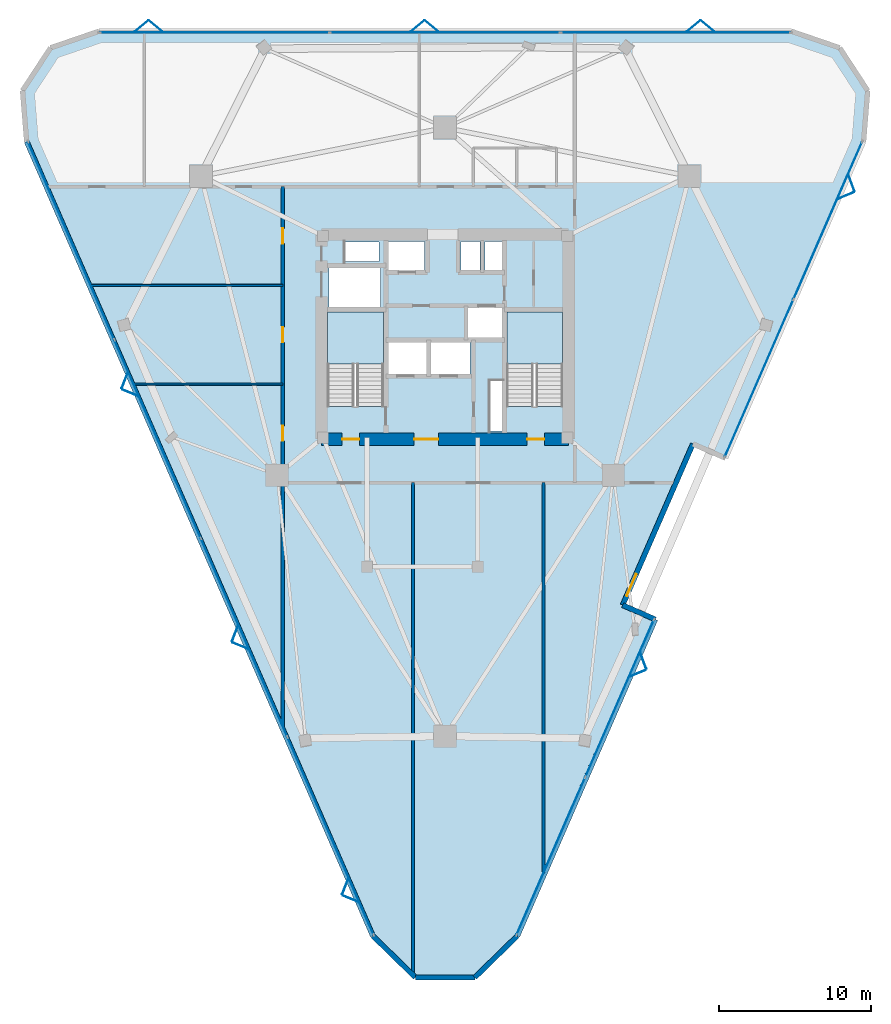
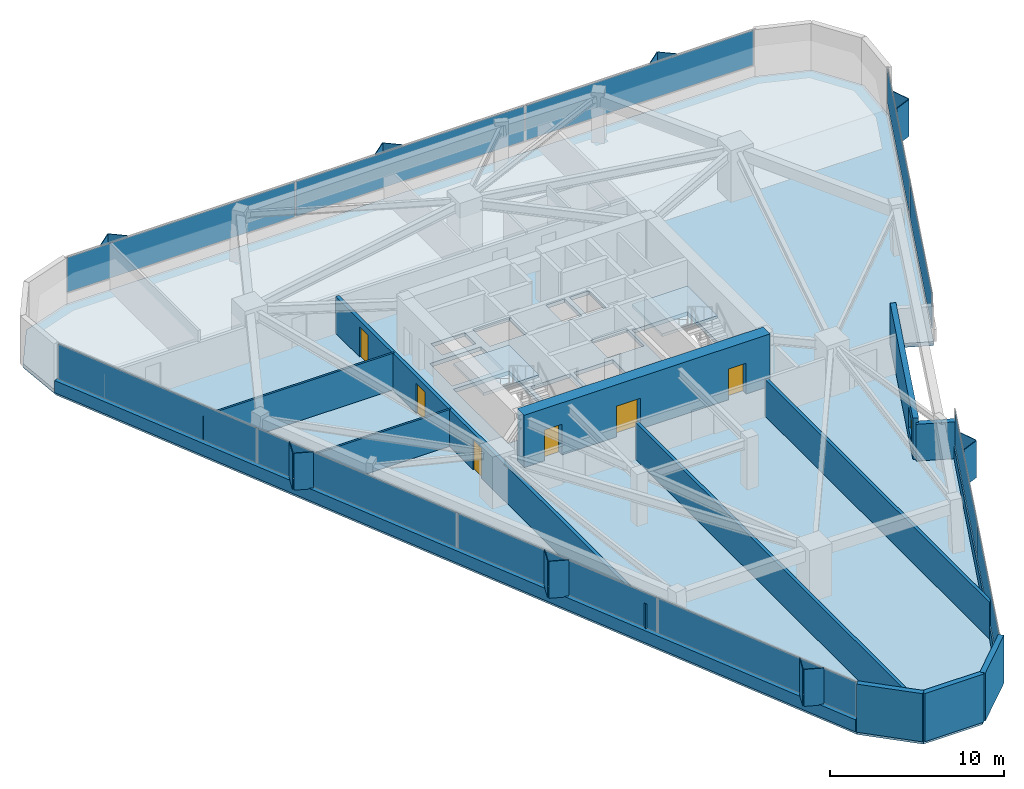
# One storey, part 7 of 12: 27 plates, 13 walls, 6 doors, 3 slabs, 1 window, 7 openings, 6 elements without a shape of their own.
"""IFC4 building model written with IfcOpenShell, lengths in metres."""

from ifc_helpers import new_model, si_unit, direction, frame, frame_2d, origin, origin_2d, place, context, subcontext, project, spatial, polyline, rectangle, outline, extrude, material, layer, layer_set, type_object, element, fill, aggregate, save


model = new_model("IFC4")

# Units and contexts
model_context = context("Model", 3, precision=1e-05, world=origin(), true_north=direction((0.0, 1.0)))
body_context = subcontext(model_context, "Body", "Model", "MODEL_VIEW")
ifc_project = project(units=[si_unit("LENGTHUNIT", "METRE"), si_unit("AREAUNIT", "SQUARE_METRE"), si_unit("VOLUMEUNIT", "CUBIC_METRE"), si_unit("PLANEANGLEUNIT", "RADIAN"), si_unit("MASSUNIT", "GRAM", prefix="KILO")], contexts=[model_context])

# Site, building, storey
site_placement = place(None, origin())
site = spatial("IfcSite", under=ifc_project, at=site_placement, CompositionType="ELEMENT")
building_placement = place(site_placement, origin())
building = spatial("IfcBuilding", under=site, at=building_placement, Name="Talyreon Biosciences Tower", CompositionType="ELEMENT")
storey_placement = place(building_placement, frame((0.0, 0.0, 156.39990234375)))
storey = spatial("IfcBuildingStorey", under=building, at=storey_placement, Name="L41", CompositionType="ELEMENT", Elevation=156.39990234375)

# Curtain wall, plates
ifc_material_1 = material(Name="Thermally broken aluminium and low-E glazing", Category="aluminium")
ifc_layer_1 = layer(ifc_material_1, 0.205078125)
ifc_layer_set_1 = layer_set([ifc_layer_1], Name="Thermally broken aluminium and low-E glazing")
curtain_wall_type = type_object("IfcCurtainWallType", Name="CurtainWall_SkyGardenLoggia", PredefinedType="NOTDEFINED", material=ifc_layer_set_1)
curtain_wall_1_placement = place(storey_placement, origin())
curtain_wall_1 = element("IfcCurtainWall", 1, at=curtain_wall_1_placement, inside=storey, type_object=curtain_wall_type, Name="L41 Unitised Curtain Wall FCW-L41-03", PredefinedType="NOTDEFINED")
ifc_material_2 = material(Name="Acoustic laminated low-E insulated glazing", Category="glass")
ifc_layer_2 = layer(ifc_material_2, 0.0380859375)
ifc_layer_set_2 = layer_set([ifc_layer_2], Name="Acoustic laminated low-E insulated glazing")
plate_type_1 = type_object("IfcPlateType", Name="CWGlazingPanel_38", PredefinedType="CURTAIN_PANEL", material=ifc_layer_set_2)
plate_1_placement = place(storey_placement, frame((50.80078125, 88.072509765625, 0.875), z_axis=(0.0, 0.0, 1.0), x_axis=(1.0, 0.0, 0.0)))
plate_1 = element("IfcPlate", 2, at=plate_1_placement, type_object=plate_type_1, Name="CW7 panel 1.1", PredefinedType="CURTAIN_PANEL", context=body_context, shape_type="SweptSolid", body=[
    extrude(rectangle(XDim=15.10546875, YDim=0.0380859375, at=origin_2d()), origin(), (0.0, 0.0, 1.0), 2.43505859375),
])
plate_2_placement = place(storey_placement, frame((66.0, 88.072509765625, 0.875), z_axis=(0.0, 0.0, 1.0), x_axis=(1.0, 0.0, 0.0)))
plate_2 = element("IfcPlate", 3, at=plate_2_placement, type_object=plate_type_1, Name="CW7 panel 2.1", PredefinedType="CURTAIN_PANEL", context=body_context, shape_type="SweptSolid", body=[
    extrude(rectangle(XDim=15.142822265625, YDim=0.0380859375, at=origin_2d()), origin(), (0.0, 0.0, 1.0), 2.43505859375),
])
plate_3_placement = place(storey_placement, frame((81.19921875, 88.072509765625, 0.875), z_axis=(0.0, 0.0, 1.0), x_axis=(1.0, 0.0, 0.0)))
plate_3 = element("IfcPlate", 4, at=plate_3_placement, type_object=plate_type_1, Name="CW7 panel 3.1", PredefinedType="CURTAIN_PANEL", context=body_context, shape_type="SweptSolid", body=[
    extrude(rectangle(XDim=15.10546875, YDim=0.0380859375, at=origin_2d()), origin(), (0.0, 0.0, 1.0), 2.43505859375),
])
aggregate(curtain_wall_1, [plate_1, plate_2, plate_3])

curtain_wall_2_placement = place(storey_placement, origin())
curtain_wall_2 = element("IfcCurtainWall", 5, at=curtain_wall_2_placement, inside=storey, type_object=curtain_wall_type, Name="L41 Unitised Curtain Wall FCW-L41-07", PredefinedType="NOTDEFINED")
plate_4_placement = place(storey_placement, frame((91.239013671875, 75.671630859375, 0.875), z_axis=(0.0, 0.0, 1.0), x_axis=(-0.399504696917, -0.916731147688, 0.0)))
plate_4 = element("IfcPlate", 6, at=plate_4_placement, type_object=plate_type_1, Name="CW7 panel 1.1", PredefinedType="CURTAIN_PANEL", context=body_context, shape_type="SweptSolid", body=[
    extrude(rectangle(XDim=11.27197265625, YDim=0.0380859375, at=origin_2d()), origin(), (0.0, 0.0, 1.0), 2.43505859375),
])
plate_5_placement = place(storey_placement, frame((86.705810546875, 65.26953125, 0.875), z_axis=(0.0, 0.0, 1.0), x_axis=(-0.399504696917, -0.916731147688, 0.0)))
plate_5 = element("IfcPlate", 7, at=plate_5_placement, type_object=plate_type_1, Name="CW7 panel 2.1", PredefinedType="CURTAIN_PANEL", context=body_context, shape_type="SweptSolid", body=[
    extrude(rectangle(XDim=11.27197265625, YDim=0.0380859375, at=origin_2d()), origin(), (0.0, 0.0, 1.0), 2.43505859375),
])
aggregate(curtain_wall_2, [plate_4, plate_5])

curtain_wall_3_placement = place(storey_placement, origin())
curtain_wall_3 = element("IfcCurtainWall", 8, at=curtain_wall_3_placement, inside=storey, type_object=curtain_wall_type, Name="L41 Unitised Curtain Wall FCW-L41-11", PredefinedType="NOTDEFINED")
plate_6_placement = place(storey_placement, frame((77.508544921875, 44.16455078125, 0.875), z_axis=(0.0, 0.0, 1.0), x_axis=(-0.399503088423, -0.916731848656, 0.0)))
plate_6 = element("IfcPlate", 9, at=plate_6_placement, type_object=plate_type_1, Name="CW7 panel 1.1", PredefinedType="CURTAIN_PANEL", context=body_context, shape_type="SweptSolid", body=[
    extrude(rectangle(XDim=11.27197265625, YDim=0.0380859375, at=origin_2d()), origin(), (0.0, 0.0, 1.0), 2.43505859375),
])
plate_7_placement = place(storey_placement, frame((72.975341796875, 33.762451171875, 0.875), z_axis=(0.0, 0.0, 1.0), x_axis=(-0.399503088423, -0.916731848656, 0.0)))
plate_7 = element("IfcPlate", 10, at=plate_7_placement, type_object=plate_type_1, Name="CW7 panel 2.1", PredefinedType="CURTAIN_PANEL", context=body_context, shape_type="SweptSolid", body=[
    extrude(rectangle(XDim=11.27197265625, YDim=0.0380859375, at=origin_2d()), origin(), (0.0, 0.0, 1.0), 2.43505859375),
])
aggregate(curtain_wall_3, [plate_6, plate_7])

curtain_wall_4_placement = place(storey_placement, origin())
curtain_wall_4 = element("IfcCurtainWall", 11, at=curtain_wall_4_placement, inside=storey, type_object=curtain_wall_type, Name="L41 Unitised Curtain Wall FCW-L41-15", PredefinedType="NOTDEFINED")
plate_8_placement = place(storey_placement, frame((58.445556640625, 35.091552734375, 0.875), z_axis=(0.0, 0.0, 1.0), x_axis=(-0.399504605621, 0.916731187474, 0.0)))
plate_8 = element("IfcPlate", 12, at=plate_8_placement, type_object=plate_type_1, Name="CW7 panel 1.1", PredefinedType="CURTAIN_PANEL", context=body_context, shape_type="SweptSolid", body=[
    extrude(rectangle(XDim=14.172119140625, YDim=0.0380859375, at=origin_2d()), origin(), (0.0, 0.0, 1.0), 2.43505859375),
])
plate_9_placement = place(storey_placement, frame((52.74609375, 48.16943359375, 0.875), z_axis=(0.0, 0.0, 1.0), x_axis=(-0.399504605621, 0.916731187474, 0.0)))
plate_9 = element("IfcPlate", 13, at=plate_9_placement, type_object=plate_type_1, Name="CW7 panel 2.1", PredefinedType="CURTAIN_PANEL", context=body_context, shape_type="SweptSolid", body=[
    extrude(rectangle(XDim=14.20947265625, YDim=0.0380859375, at=origin_2d()), origin(), (0.0, 0.0, 1.0), 2.43505859375),
])
plate_10_placement = place(storey_placement, frame((47.03955078125, 61.264404296875, 0.875), z_axis=(0.0, 0.0, 1.0), x_axis=(-0.399504605621, 0.916731187474, 0.0)))
plate_10 = element("IfcPlate", 14, at=plate_10_placement, type_object=plate_type_1, Name="CW7 panel 3.1", PredefinedType="CURTAIN_PANEL", context=body_context, shape_type="SweptSolid", body=[
    extrude(rectangle(XDim=14.20947265625, YDim=0.0380859375, at=origin_2d()), origin(), (0.0, 0.0, 1.0), 2.43505859375),
])
plate_11_placement = place(storey_placement, frame((41.34033203125, 74.34228515625, 0.875), z_axis=(0.0, 0.0, 1.0), x_axis=(-0.399504605621, 0.916731187474, 0.0)))
plate_11 = element("IfcPlate", 15, at=plate_11_placement, type_object=plate_type_1, Name="CW7 panel 4.1", PredefinedType="CURTAIN_PANEL", context=body_context, shape_type="SweptSolid", body=[
    extrude(rectangle(XDim=14.172119140625, YDim=0.0380859375, at=origin_2d()), origin(), (0.0, 0.0, 1.0), 2.43505859375),
])
aggregate(curtain_wall_4, [plate_8, plate_9, plate_10, plate_11])

# Plates
ifc_material_3 = material(Name="Ivory GFRC sunshade panel", Category="concrete")
ifc_layer_3 = layer(ifc_material_3, 0.044921875)
ifc_layer_set_3 = layer_set([ifc_layer_3], Name="Ivory GFRC sunshade panel")
plate_type_2 = type_object("IfcPlateType", Name="FoldedVSunshade_NorthFace_SUNSHADE", PredefinedType="USERDEFINED", material=ifc_layer_set_3)
for number, where, z_axis, x_axis, name in (
    (16, (45.9931640625, 88.512451171875, 0.7900390625), (0.0, 0.0, 1.0), (0.771624583388, 0.636078220278, 0.0), "L41 Folded V-Sunshade Panel 03.01L"),
    (17, (46.89306640625, 88.512451171875, 0.7900390625), (0.0, 0.0, 1.0), (0.771624583388, -0.636078220278, 0.0), "L41 Folded V-Sunshade Panel 03.01R"),
    (18, (64.193115234375, 88.512451171875, 0.7900390625), (0.0, 0.0, 1.0), (0.771624583388, 0.636078220278, 0.0), "L41 Folded V-Sunshade Panel 03.02L"),
    (19, (65.093017578125, 88.512451171875, 0.7900390625), (0.0, 0.0, 1.0), (0.771624583388, -0.636078220278, 0.0), "L41 Folded V-Sunshade Panel 03.02R"),
    (20, (82.39306640625, 88.512451171875, 0.7900390625), (0.0, 0.0, 1.0), (0.771624583388, 0.636078220278, 0.0), "L41 Folded V-Sunshade Panel 03.03L"),
    (21, (83.293212890625, 88.512451171875, 0.7900390625), (0.0, 0.0, 1.0), (0.771624583388, -0.636078220278, 0.0), "L41 Folded V-Sunshade Panel 03.03R"),
):
    element("IfcPlate", number, at=place(storey_placement, frame(where, z_axis=z_axis, x_axis=x_axis)), inside=storey, type_object=plate_type_2, Name=name, ObjectType="SUNSHADE", PredefinedType="USERDEFINED", context=body_context, shape_type="SweptSolid", body=[
        extrude(rectangle(XDim=1.14990234375, YDim=0.044921875, at=origin_2d()), origin(), (0.0, 0.0, 1.0), 2.5849609375),
    ])
ifc_layer_4 = layer(ifc_material_3, 0.044921875)
ifc_layer_set_4 = layer_set([ifc_layer_4], Name="Ivory GFRC sunshade panel")
plate_type_3 = type_object("IfcPlateType", Name="FoldedVSunshade_SunFace_SUNSHADE", PredefinedType="USERDEFINED", material=ifc_layer_set_4)
for number, where, z_axis, x_axis, name in (
    (22, (92.79736328125, 78.14599609375, 0.7900390625), (0.0, 0.0, 1.0), (0.349438906874, -0.936959150851, 0.0), "L41 Folded V-Sunshade Panel 07.01L"),
    (23, (92.437744140625, 77.321044921875, 0.7900390625), (0.0, 0.0, 1.0), (-0.924193138674, -0.381925440929, 0.0), "L41 Folded V-Sunshade Panel 07.01R"),
    (24, (79.066650390625, 46.638916015625, 0.7900390625), (0.0, 0.0, 1.0), (0.349438906874, -0.936959150851, 0.0), "L41 Folded V-Sunshade Panel 11.01L"),
    (25, (78.707275390625, 45.81396484375, 0.7900390625), (0.0, 0.0, 1.0), (-0.924193138674, -0.381925440929, 0.0), "L41 Folded V-Sunshade Panel 11.01R"),
    (26, (59.7763671875, 30.936279296875, 0.7900390625), (0.0, 0.0, 1.0), (-0.924193138674, 0.381925440929, 0.0), "L41 Folded V-Sunshade Panel 15.01L"),
    (27, (59.416748046875, 31.76123046875, 0.7900390625), (0.0, 0.0, 1.0), (0.349438906874, 0.936959150851, 0.0), "L41 Folded V-Sunshade Panel 15.01R"),
    (28, (52.50537109375, 47.620849609375, 0.7900390625), (0.0, 0.0, 1.0), (-0.924193138674, 0.381925440929, 0.0), "L41 Folded V-Sunshade Panel 15.02L"),
    (29, (52.145751953125, 48.44580078125, 0.7900390625), (0.0, 0.0, 1.0), (0.349438906874, 0.936959150851, 0.0), "L41 Folded V-Sunshade Panel 15.02R"),
    (30, (45.234375, 64.305419921875, 0.7900390625), (0.0, 0.0, 1.0), (-0.924193138674, 0.381925440929, 0.0), "L41 Folded V-Sunshade Panel 15.03L"),
    (31, (44.875, 65.13037109375, 0.7900390625), (0.0, 0.0, 1.0), (0.349438906874, 0.936959150851, 0.0), "L41 Folded V-Sunshade Panel 15.03R"),
):
    element("IfcPlate", number, at=place(storey_placement, frame(where, z_axis=z_axis, x_axis=x_axis)), inside=storey, type_object=plate_type_3, Name=name, ObjectType="SUNSHADE", PredefinedType="USERDEFINED", context=body_context, shape_type="SweptSolid", body=[
        extrude(rectangle(XDim=1.14990234375, YDim=0.044921875, at=origin_2d()), origin(), (0.0, 0.0, 1.0), 2.5849609375),
    ])

# Stair, slab
ifc_material_4 = material(Name="Concrete C40/50", Category="concrete")
stair_type = type_object("IfcStairType", Name="DoglegEscapeStair_3650", PredefinedType="HALF_TURN_STAIR", material=ifc_material_4)
stair_1_placement = place(storey_placement, origin())
stair_1 = element("IfcStair", 32, at=stair_1_placement, inside=storey, type_object=stair_type, Name="L41 Core Escape Stair 1", PredefinedType="HALF_TURN_STAIR")
ifc_layer_5 = layer(ifc_material_4, 0.199951171875)
ifc_layer_set_5 = layer_set([ifc_layer_5], Name="Concrete C40/50")
slab_type_1 = type_object("IfcSlabType", Name="StairLandingSlab_200", PredefinedType="LANDING", material=ifc_layer_set_5)
slab_1_placement = place(storey_placement, frame((0.0, 0.0, 1.625)))
slab_1 = element("IfcSlab", 33, at=slab_1_placement, type_object=slab_type_1, Name="ST-1 landing 1", PredefinedType="LANDING", context=body_context, shape_type="SweptSolid", body=[
    extrude(outline(polyline([(61.929931640625, 66.199951171875), (61.929931640625, 69.64990234375), (58.25, 69.64990234375), (58.25, 66.199951171875), (61.929931640625, 66.199951171875)])), origin(), (0.0, 0.0, 1.0), 0.2001953125),
])
aggregate(stair_1, [slab_1])

stair_2_placement = place(storey_placement, origin())
stair_2 = element("IfcStair", 34, at=stair_2_placement, inside=storey, type_object=stair_type, Name="L41 Core Escape Stair 2", PredefinedType="HALF_TURN_STAIR")
slab_2_placement = place(storey_placement, frame((0.0, 0.0, 1.625)))
slab_2 = element("IfcSlab", 35, at=slab_2_placement, type_object=slab_type_1, Name="ST-2 landing 1", PredefinedType="LANDING", context=body_context, shape_type="SweptSolid", body=[
    extrude(outline(polyline([(73.75, 66.199951171875), (73.75, 69.64990234375), (70.070068359375, 69.64990234375), (70.070068359375, 66.199951171875), (73.75, 66.199951171875)])), origin(), (0.0, 0.0, 1.0), 0.2001953125),
])
aggregate(stair_2, [slab_2])

# Slab
ifc_layer_6 = layer(ifc_material_4, 0.27490234375)
ifc_layer_set_6 = layer_set([ifc_layer_6], Name="Concrete C40/50")
slab_type_2 = type_object("IfcSlabType", Name="WetLabFloorSlab_275", PredefinedType="FLOOR", material=ifc_layer_set_6)
slab_3_placement = place(storey_placement, frame((0.0, 0.0, -0.27490234375)))
element("IfcSlab", 36, at=slab_3_placement, inside=storey, type_object=slab_type_2, Name="L41 Structural Floor Slab", PredefinedType="FLOOR", context=body_context, shape_type="SweptSolid", body=[
    extrude(outline(polyline([(38.406005859375, 80.875), (38.13427734375, 84.237060546875), (39.982421875, 87.05859375), (43.173095703125, 88.152587890625), (88.826904296875, 88.152587890625), (92.017578125, 87.05859375), (93.86572265625, 84.237060546875), (93.593994140625, 80.875), (84.49755859375, 60.002197265625), (82.34326171875, 60.94091796875), (77.708984375, 50.306884765625), (79.86328125, 49.367919921875), (70.76708984375, 28.494873046875), (67.960693359375, 25.756103515625), (64.039306640625, 25.756103515625), (61.23291015625, 28.494873046875), (38.406005859375, 80.875)]), holes=[polyline([(61.929931640625, 69.64990234375), (61.929931640625, 63.407958984375), (58.25, 63.407958984375), (58.25, 69.64990234375), (61.929931640625, 69.64990234375)]), polyline([(64.800048828125, 67.64990234375), (64.800048828125, 65.550048828125), (62.199951171875, 65.550048828125), (62.199951171875, 67.64990234375), (64.800048828125, 67.64990234375)]), polyline([(67.64990234375, 67.64990234375), (67.64990234375, 65.550048828125), (65.050048828125, 65.550048828125), (65.050048828125, 67.64990234375), (67.64990234375, 67.64990234375)]), polyline([(61.75, 69.97998046875), (58.35009765625, 69.97998046875), (58.35009765625, 72.550048828125), (61.75, 72.550048828125), (61.75, 69.97998046875)]), polyline([(64.64990234375, 72.35009765625), (62.199951171875, 72.35009765625), (62.199951171875, 74.300048828125), (64.64990234375, 74.300048828125), (64.64990234375, 72.35009765625)]), polyline([(61.64990234375, 74.25), (61.64990234375, 72.9599609375), (59.39990234375, 72.9599609375), (59.39990234375, 74.25), (61.64990234375, 74.25)]), polyline([(69.820068359375, 61.800048828125), (68.9599609375, 61.800048828125), (68.9599609375, 65.10009765625), (69.820068359375, 65.10009765625), (69.820068359375, 61.800048828125)]), polyline([(73.75, 63.407958984375), (70.070068359375, 63.407958984375), (70.070068359375, 69.64990234375), (73.75, 69.64990234375), (73.75, 63.407958984375)]), polyline([(69.89990234375, 69.949951171875), (69.89990234375, 67.949951171875), (67.5, 67.949951171875), (67.5, 69.949951171875), (69.89990234375, 69.949951171875)]), polyline([(68.300048828125, 72.35009765625), (67.050048828125, 72.35009765625), (67.050048828125, 74.300048828125), (68.300048828125, 74.300048828125), (68.300048828125, 72.35009765625)]), polyline([(69.919921875, 72.35009765625), (68.6201171875, 72.35009765625), (68.6201171875, 74.300048828125), (69.919921875, 74.300048828125), (69.919921875, 72.35009765625)])]), origin(), (0.0, 0.0, 1.0), 0.27490234375),
])

# Walls
ifc_material_5 = material(Name="Gypsum fireboard acoustic stud", Category="gypsum")
ifc_layer_7 = layer(ifc_material_5, 0.199951171875)
ifc_layer_set_7 = layer_set([ifc_layer_7], Name="Gypsum fireboard acoustic stud")
wall_type_1 = type_object("IfcWallType", Name="ChemControlPartition_200", PredefinedType="PARTITIONING", material=ifc_layer_set_7)
wall_1_placement = place(storey_placement, frame((63.89208984375, 26.018798828125, 0.0), z_axis=(0.0, 0.0, 1.0), x_axis=(0.0, 1.0, 0.0)))
element("IfcWall", 37, at=wall_1_placement, inside=storey, type_object=wall_type_1, Name="L41 Interior Wall IW-L41-SDIV1", PredefinedType="PARTITIONING", context=body_context, shape_type="SweptSolid", body=[
    extrude(rectangle(XDim=32.361083984375, YDim=0.199951171875, at=frame_2d((16.1806640625, 0.0))), origin(), (0.0, 0.0, 1.0), 2.5751953125),
])
wall_2_placement = place(storey_placement, frame((72.48291015625, 32.645263671875, 0.0), z_axis=(0.0, 0.0, 1.0), x_axis=(0.0, 1.0, 0.0)))
element("IfcWall", 38, at=wall_2_placement, inside=storey, type_object=wall_type_1, Name="L41 Interior Wall IW-L41-SDIV2", PredefinedType="PARTITIONING", context=body_context, shape_type="SweptSolid", body=[
    extrude(rectangle(XDim=25.734619140625, YDim=0.199951171875, at=frame_2d((12.8671875, 0.0))), origin(), (0.0, 0.0, 1.0), 2.5751953125),
])

# Wall, openings, doors
ifc_material_6 = material(Name="Concrete C60/75", Category="concrete")
ifc_layer_8 = layer(ifc_material_6, 0.800048828125)
ifc_layer_set_8 = layer_set([ifc_layer_8], Name="Concrete C60/75")
wall_type_2 = type_object("IfcWallType", Name="CoreShearWall_800", PredefinedType="SHEAR", material=ifc_layer_set_8)
wall_3_placement = place(storey_placement, frame((57.85009765625, 61.25, 0.0), z_axis=(0.0, 0.0, 1.0), x_axis=(1.0, 0.0, 0.0)))
wall_3 = element("IfcWall", 39, at=wall_3_placement, inside=storey, type_object=wall_type_2, Name="L41 Core Shear Wall S", PredefinedType="SHEAR", context=body_context, shape_type="SweptSolid", body=[
    extrude(rectangle(XDim=16.2998046875, YDim=0.800048828125, at=frame_2d((8.14990234375, 0.0))), origin(), (0.0, 0.0, 1.0), 3.650146484375),
])
opening_1_placement = place(wall_3_placement, frame((1.35009765625, 0.0, 0.0)))
opening_1 = element("IfcOpeningElement", 40, at=opening_1_placement, cuts=wall_3, Name="Opening DR-L41-ST1", PredefinedType="OPENING", context=body_context, shape_type="SweptSolid", body=[
    extrude(rectangle(XDim=1.14990234375, YDim=2.14990234375, at=frame_2d((0.574951171875, 1.074951171875))), frame((0.0, 0.409912109375, 0.0), z_axis=(0.0, -1.0, 0.0), x_axis=(1.0, 0.0, 0.0)), (0.0, 0.0, 1.0), 0.820068359375),
])
opening_2_placement = place(wall_3_placement, frame((6.10009765625, 0.0, 0.0)))
opening_2 = element("IfcOpeningElement", 41, at=opening_2_placement, cuts=wall_3, Name="Opening DR-L41-FFL", PredefinedType="OPENING", context=body_context, shape_type="SweptSolid", body=[
    extrude(rectangle(XDim=1.60009765625, YDim=2.14990234375, at=frame_2d((0.800048828125, 1.074951171875))), frame((0.0, 0.409912109375, 0.0), z_axis=(0.0, -1.0, 0.0), x_axis=(1.0, 0.0, 0.0)), (0.0, 0.0, 1.0), 0.820068359375),
])
opening_3_placement = place(wall_3_placement, frame((13.550048828125, 0.0, 0.0)))
opening_3 = element("IfcOpeningElement", 42, at=opening_3_placement, cuts=wall_3, Name="Opening DR-L41-ST2", PredefinedType="OPENING", context=body_context, shape_type="SweptSolid", body=[
    extrude(rectangle(XDim=1.14990234375, YDim=2.14990234375, at=frame_2d((0.574951171875, 1.074951171875))), frame((0.0, 0.409912109375, 0.0), z_axis=(0.0, -1.0, 0.0), x_axis=(1.0, 0.0, 0.0)), (0.0, 0.0, 1.0), 0.820068359375),
])
ifc_material_7 = material(Name="Painted steel smoke-seal fire door", Category="steel")
door_type_1 = type_object("IfcDoorType", Name="FirefightingLobbyDoubleDoor_1600x2150", OperationType="DOUBLE_DOOR_SINGLE_SWING", PredefinedType="DOOR", material=ifc_material_7)
door_1_placement = place(opening_2_placement, origin())
door_1 = element("IfcDoor", 43, at=door_1_placement, inside=storey, type_object=door_type_1, Name="L41 Core Door DR-L41-FFL", OperationType="DOUBLE_DOOR_SINGLE_SWING", OverallHeight=2.14990234375, OverallWidth=1.60009765625, PredefinedType="DOOR", context=body_context, shape_type="SweptSolid", body=[
    extrude(rectangle(XDim=1.60009765625, YDim=2.14990234375, at=frame_2d((0.800048828125, 1.074951171875))), frame((0.0, 0.02490234375, 0.0), z_axis=(0.0, -1.0, 0.0), x_axis=(1.0, 0.0, 0.0)), (0.0, 0.0, 1.0), 0.050048828125),
])
fill(opening_2, door_1)
ifc_material_8 = material(Name="Painted steel fire door", Category="steel")
door_type_2 = type_object("IfcDoorType", Name="StairShaftFireDoor_1150x2150", OperationType="NOTDEFINED", PredefinedType="DOOR", material=ifc_material_8)
door_2_placement = place(opening_1_placement, origin())
door_2 = element("IfcDoor", 44, at=door_2_placement, inside=storey, type_object=door_type_2, Name="L41 Core Door DR-L41-ST1", OperationType="SINGLE_SWING_LEFT", OverallHeight=2.14990234375, OverallWidth=1.14990234375, PredefinedType="DOOR", context=body_context, shape_type="SweptSolid", body=[
    extrude(rectangle(XDim=1.14990234375, YDim=2.14990234375, at=frame_2d((0.574951171875, 1.074951171875))), frame((0.0, 0.02490234375, 0.0), z_axis=(0.0, -1.0, 0.0), x_axis=(1.0, 0.0, 0.0)), (0.0, 0.0, 1.0), 0.050048828125),
])
fill(opening_1, door_2)
door_3_placement = place(opening_3_placement, origin())
door_3 = element("IfcDoor", 45, at=door_3_placement, inside=storey, type_object=door_type_2, Name="L41 Core Door DR-L41-ST2", OperationType="SINGLE_SWING_RIGHT", OverallHeight=2.14990234375, OverallWidth=1.14990234375, PredefinedType="DOOR", context=body_context, shape_type="SweptSolid", body=[
    extrude(rectangle(XDim=1.14990234375, YDim=2.14990234375, at=frame_2d((0.574951171875, 1.074951171875))), frame((0.0, 0.02490234375, 0.0), z_axis=(0.0, -1.0, 0.0), x_axis=(1.0, 0.0, 0.0)), (0.0, 0.0, 1.0), 0.050048828125),
])
fill(opening_3, door_3)

ifc_layer_9 = layer(ifc_material_5, 0.219970703125)
ifc_layer_set_9 = layer_set([ifc_layer_9], Name="Gypsum fireboard acoustic stud")
wall_type_3 = type_object("IfcWallType", Name="CorridorRatedPartition_220", PredefinedType="PARTITIONING", material=ifc_layer_set_9)
wall_4_placement = place(storey_placement, frame((55.300048828125, 42.322021484375, 0.0), z_axis=(0.0, 0.0, 1.0), x_axis=(0.0, 1.0, 0.0)))
wall_4 = element("IfcWall", 46, at=wall_4_placement, inside=storey, type_object=wall_type_3, Name="L41 Interior Wall IW-L41-COR-W", PredefinedType="PARTITIONING", context=body_context, shape_type="SweptSolid", body=[
    extrude(rectangle(XDim=35.577880859375, YDim=0.219970703125, at=frame_2d((17.7890625, 0.0))), origin(), (0.0, 0.0, 1.0), 2.5751953125),
])
opening_4_placement = place(wall_4_placement, frame((18.81201171875, 0.0, 0.0)))
opening_4 = element("IfcOpeningElement", 47, at=opening_4_placement, cuts=wall_4, Name="Opening DR-L41-W1A", PredefinedType="OPENING", context=body_context, shape_type="SweptSolid", body=[
    extrude(rectangle(XDim=1.0, YDim=2.10009765625, at=frame_2d((0.5, 1.050048828125))), frame((0.0, 0.119873046875, 0.0), z_axis=(0.0, -1.0, 0.0), x_axis=(1.0, 0.0, 0.0)), (0.0, 0.0, 1.0), 0.239990234375),
])
opening_5_placement = place(wall_4_placement, frame((25.318115234375, 0.0, 0.0)))
opening_5 = element("IfcOpeningElement", 48, at=opening_5_placement, cuts=wall_4, Name="Opening DR-L41-W2A", PredefinedType="OPENING", context=body_context, shape_type="SweptSolid", body=[
    extrude(rectangle(XDim=1.0, YDim=2.10009765625, at=frame_2d((0.5, 1.050048828125))), frame((0.0, 0.119873046875, 0.0), z_axis=(0.0, -1.0, 0.0), x_axis=(1.0, 0.0, 0.0)), (0.0, 0.0, 1.0), 0.239990234375),
])
opening_6_placement = place(wall_4_placement, frame((31.824951171875, 0.0, 0.0)))
opening_6 = element("IfcOpeningElement", 49, at=opening_6_placement, cuts=wall_4, Name="Opening DR-L41-W3A", PredefinedType="OPENING", context=body_context, shape_type="SweptSolid", body=[
    extrude(rectangle(XDim=1.0, YDim=2.10009765625, at=frame_2d((0.5, 1.050048828125))), frame((0.0, 0.119873046875, 0.0), z_axis=(0.0, -1.0, 0.0), x_axis=(1.0, 0.0, 0.0)), (0.0, 0.0, 1.0), 0.239990234375),
])
ifc_material_9 = material(Name="Acoustic oak veneer office door", Category="wood")
door_type_3 = type_object("IfcDoorType", Name="WriteupOfficeDoor_1000x2100", OperationType="NOTDEFINED", PredefinedType="DOOR", material=ifc_material_9)
door_4_placement = place(opening_4_placement, origin())
door_4 = element("IfcDoor", 50, at=door_4_placement, inside=storey, type_object=door_type_3, Name="L41 Interior Door DR-L41-W1A", OperationType="SINGLE_SWING_RIGHT", OverallHeight=2.10009765625, OverallWidth=1.0, PredefinedType="DOOR", context=body_context, shape_type="SweptSolid", body=[
    extrude(rectangle(XDim=1.0, YDim=2.10009765625, at=frame_2d((0.5, 1.050048828125))), frame((0.0, 0.02490234375, 0.0), z_axis=(0.0, -1.0, 0.0), x_axis=(1.0, 0.0, 0.0)), (0.0, 0.0, 1.0), 0.050048828125),
])
fill(opening_4, door_4)
door_5_placement = place(opening_5_placement, origin())
door_5 = element("IfcDoor", 51, at=door_5_placement, inside=storey, type_object=door_type_3, Name="L41 Interior Door DR-L41-W2A", OperationType="SINGLE_SWING_RIGHT", OverallHeight=2.10009765625, OverallWidth=1.0, PredefinedType="DOOR", context=body_context, shape_type="SweptSolid", body=[
    extrude(rectangle(XDim=1.0, YDim=2.10009765625, at=frame_2d((0.5, 1.050048828125))), frame((0.0, 0.02490234375, 0.0), z_axis=(0.0, -1.0, 0.0), x_axis=(1.0, 0.0, 0.0)), (0.0, 0.0, 1.0), 0.050048828125),
])
fill(opening_5, door_5)
door_6_placement = place(opening_6_placement, origin())
door_6 = element("IfcDoor", 52, at=door_6_placement, inside=storey, type_object=door_type_3, Name="L41 Interior Door DR-L41-W3A", OperationType="SINGLE_SWING_LEFT", OverallHeight=2.10009765625, OverallWidth=1.0, PredefinedType="DOOR", context=body_context, shape_type="SweptSolid", body=[
    extrude(rectangle(XDim=1.0, YDim=2.10009765625, at=frame_2d((0.5, 1.050048828125))), frame((0.0, 0.02490234375, 0.0), z_axis=(0.0, -1.0, 0.0), x_axis=(1.0, 0.0, 0.0)), (0.0, 0.0, 1.0), 0.050048828125),
])
fill(opening_6, door_6)

# Walls
ifc_material_10 = material(Name="Gypsum acoustic stud partition", Category="gypsum")
ifc_layer_10 = layer(ifc_material_10, 0.1298828125)
ifc_layer_set_10 = layer_set([ifc_layer_10], Name="Gypsum acoustic stud partition")
wall_type_4 = type_object("IfcWallType", Name="OfficeWriteupPartition_130", PredefinedType="PARTITIONING", material=ifc_layer_set_10)
wall_5_placement = place(storey_placement, frame((45.46630859375, 64.886962890625, 0.0), z_axis=(0.0, 0.0, 1.0), x_axis=(1.0, 0.0, 0.0)))
element("IfcWall", 53, at=wall_5_placement, inside=storey, type_object=wall_type_4, Name="L41 Interior Wall IW-L41-WDIV1", PredefinedType="PARTITIONING", context=body_context, shape_type="SweptSolid", body=[
    extrude(rectangle(XDim=9.833740234375, YDim=0.1298828125, at=frame_2d((4.9169921875, 0.0))), origin(), (0.0, 0.0, 1.0), 2.5751953125),
])
wall_6_placement = place(storey_placement, frame((42.631103515625, 71.39306640625, 0.0), z_axis=(0.0, 0.0, 1.0), x_axis=(1.0, 0.0, 0.0)))
element("IfcWall", 54, at=wall_6_placement, inside=storey, type_object=wall_type_4, Name="L41 Interior Wall IW-L41-WDIV2", PredefinedType="PARTITIONING", context=body_context, shape_type="SweptSolid", body=[
    extrude(rectangle(XDim=12.6689453125, YDim=0.1298828125, at=frame_2d((6.33447265625, 0.0))), origin(), (0.0, 0.0, 1.0), 2.5751953125),
])

# Wall, opening, window
ifc_material_11 = material(Name="Precast concrete C45/55", Category="concrete")
ifc_layer_11 = layer(ifc_material_11, 0.340087890625)
ifc_layer_set_11 = layer_set([ifc_layer_11], Name="Precast concrete C45/55")
wall_type_5 = type_object("IfcWallType", Name="PrecastConcreteSpandrelWall_340", PredefinedType="STANDARD", material=ifc_layer_set_11)
wall_7_placement = place(storey_placement, frame((82.34326171875, 60.94091796875, 0.0), z_axis=(0.0, 0.0, 1.0), x_axis=(-0.399507871993, -0.916729764007, 0.0)))
wall_7 = element("IfcWall", 55, at=wall_7_placement, inside=storey, type_object=wall_type_5, Name="L41 Terrace Backing Concrete Wall 09", PredefinedType="STANDARD", context=body_context, shape_type="SweptSolid", body=[
    extrude(rectangle(XDim=11.599853515625, YDim=0.340087890625, at=frame_2d((5.7998046875, 0.0))), origin(), (0.0, 0.0, 1.0), 2.905029296875),
])
opening_7_placement = place(wall_7_placement, frame((9.35009765625, 0.0, 0.699951171875)))
opening_7 = element("IfcOpeningElement", 56, at=opening_7_placement, cuts=wall_7, Name="Opening W06", PredefinedType="OPENING", context=body_context, shape_type="SweptSolid", body=[
    extrude(rectangle(XDim=1.60009765625, YDim=1.5, at=frame_2d((0.800048828125, 0.75))), frame((0.0, 0.179931640625, 0.0), z_axis=(0.0, -1.0, 0.0), x_axis=(1.0, 0.0, 0.0)), (0.0, 0.0, 1.0), 0.360107421875),
])
ifc_material_12 = material(Name="Thermally broken triple low-E aluminium window", Category="aluminium")
window_type = type_object("IfcWindowType", Name="CrownLouvredWindow_1600x1500", PartitioningType="SINGLE_PANEL", PredefinedType="WINDOW", material=ifc_material_12)
window_placement = place(opening_7_placement, origin())
window = element("IfcWindow", 57, at=window_placement, inside=storey, type_object=window_type, Name="L41 Sky-Garden Loggia Window 09", OverallHeight=1.5, OverallWidth=1.60009765625, PartitioningType="SINGLE_PANEL", PredefinedType="WINDOW", context=body_context, shape_type="SweptSolid", body=[
    extrude(rectangle(XDim=1.60009765625, YDim=1.5, at=frame_2d((0.800048828125, 0.75))), frame((0.0, 0.030029296875, 0.0), z_axis=(0.0, -1.0, 0.0), x_axis=(1.0, 0.0, 0.0)), (0.0, 0.0, 1.0), 0.06005859375),
])
fill(opening_7, window)

# Walls
wall_8_placement = place(storey_placement, frame((77.708984375, 50.306884765625, 0.0), z_axis=(0.0, 0.0, 1.0), x_axis=(0.916709624612, -0.399554081625, 0.0)))
element("IfcWall", 58, at=wall_8_placement, inside=storey, type_object=wall_type_5, Name="L41 Terrace Backing Concrete Wall 10", PredefinedType="STANDARD", context=body_context, shape_type="SweptSolid", body=[
    extrude(rectangle(XDim=2.35009765625, YDim=0.340087890625, at=frame_2d((1.175048828125, 0.0))), origin(), (0.0, 0.0, 1.0), 2.5751953125),
])
wall_9_placement = place(storey_placement, frame((79.86328125, 49.367919921875, 0.0), z_axis=(0.0, 0.0, 1.0), x_axis=(-0.399499934758, -0.916733222987, 0.0)))
element("IfcWall", 59, at=wall_9_placement, inside=storey, type_object=wall_type_5, Name="L41 Expressed Concrete Sill Wall 11", PredefinedType="STANDARD", context=body_context, shape_type="SweptSolid", body=[
    extrude(rectangle(XDim=22.76904296875, YDim=0.340087890625, at=frame_2d((11.384521484375, 0.0))), origin(), (0.0, 0.0, 1.0), 0.85009765625),
])
for number, where, z_axis, x_axis, name in (
    (60, (70.76708984375, 28.494873046875, 0.0), (0.0, 0.0, 1.0), (-0.715677193456, -0.69843120976, 0.0), "L41 Rounded-Corner Concrete Pier 12"),
    (61, (67.960693359375, 25.756103515625, 0.0), (0.0, 0.0, 1.0), (-1.0, 0.0, 0.0), "L41 Rounded-Corner Concrete Pier 13"),
    (62, (64.039306640625, 25.756103515625, 0.0), (0.0, 0.0, 1.0), (-0.715677193456, 0.69843120976, 0.0), "L41 Rounded-Corner Concrete Pier 14"),
):
    element("IfcWall", number, at=place(storey_placement, frame(where, z_axis=z_axis, x_axis=x_axis)), inside=storey, type_object=wall_type_5, Name=name, PredefinedType="STANDARD", context=body_context, shape_type="SweptSolid", body=[
        extrude(rectangle(XDim=3.92138671875, YDim=0.340087890625, at=frame_2d((1.960693359375, 0.0))), origin(), (0.0, 0.0, 1.0), 3.375),
    ])
wall_10_placement = place(storey_placement, frame((61.23291015625, 28.494873046875, 0.0), z_axis=(0.0, 0.0, 1.0), x_axis=(-0.39950513703, 0.91673095589, 0.0)))
element("IfcWall", 63, at=wall_10_placement, inside=storey, type_object=wall_type_5, Name="L41 Expressed Concrete Sill Wall 15", PredefinedType="STANDARD", context=body_context, shape_type="SweptSolid", body=[
    extrude(rectangle(XDim=57.137939453125, YDim=0.340087890625, at=frame_2d((28.56884765625, 0.0))), origin(), (0.0, 0.0, 1.0), 0.85009765625),
])

save(model, "model.ifc")
